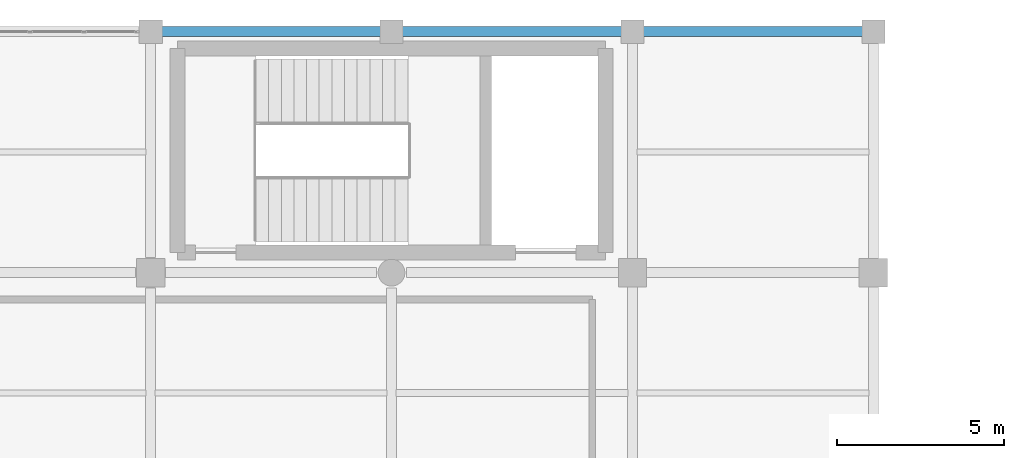
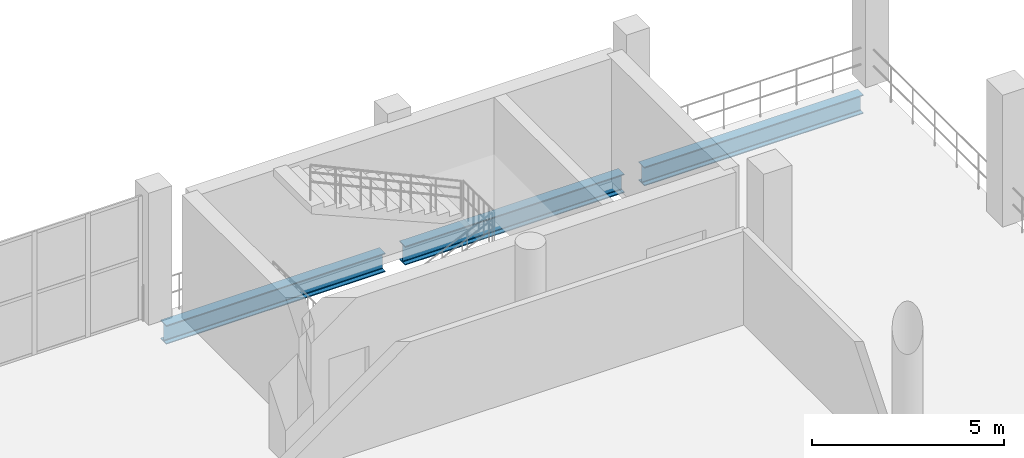
# One storey, part 117 of 153: 3 beams.
"""IFC4 building model written with IfcOpenShell, lengths in metres."""

from ifc_helpers import new_model, si_unit, direction, frame, origin, origin_2d, place, context, subcontext, project, spatial, i_section, extrude, material, material_profile, profile_set, type_object, element, save


model = new_model("IFC4")

# Units and contexts
model_context = context("Model", 3, precision=1e-05, world=origin(), true_north=direction((0.0, 1.0)))
body_context = subcontext(model_context, "Body", "Model", "MODEL_VIEW")
ifc_project = project(units=[si_unit("LENGTHUNIT", "METRE"), si_unit("AREAUNIT", "SQUARE_METRE"), si_unit("VOLUMEUNIT", "CUBIC_METRE"), si_unit("PLANEANGLEUNIT", "RADIAN"), si_unit("MASSUNIT", "GRAM", prefix="KILO")], contexts=[model_context])

# Site, building, storey
site_placement = place(None, origin())
site = spatial("IfcSite", under=ifc_project, at=site_placement, CompositionType="ELEMENT")
building_placement = place(site_placement, origin())
building = spatial("IfcBuilding", under=site, at=building_placement, Name="Qandorah Velis Arena", CompositionType="ELEMENT")
storey_placement = place(building_placement, frame((0.0, 0.0, 5.39990234375)))
storey = spatial("IfcBuildingStorey", under=building, at=storey_placement, Name="L01", CompositionType="ELEMENT", Elevation=5.39990234375)

# Beams
ifc_material = material(Name="Steel S355", Category="steel")
ifc_material_profile = material_profile(ifc_material, i_section(OverallWidth=0.300048828125, OverallDepth=0.60009765625, WebThickness=0.015380859375, FlangeThickness=0.030029296875, FilletRadius=0.027099609375, at=origin_2d()), Name="HEB 600")
ifc_profile_set = profile_set([ifc_material_profile], Name="Steel S355")
beam_type = type_object("IfcBeamType", Name="STR-BM-HEB600", PredefinedType="BEAM", material=ifc_profile_set)
beam_placement = place(storey_placement, frame((93.89990234375, 129.60009765625, -0.659912109375), z_axis=(1.0, 0.0, 0.0), x_axis=(0.0, 1.0, 0.0)))
element("IfcBeam", 1, at=beam_placement, inside=storey, type_object=beam_type, Name="Primary floor girder L01 X-217", PredefinedType="BEAM", context=body_context, shape_type="SweptSolid", body=[
    extrude(i_section(OverallWidth=0.300048828125, OverallDepth=0.60009765625, WebThickness=0.015380859375, FlangeThickness=0.030029296875, FilletRadius=0.027099609375, at=origin_2d()), origin(), (0.0, 0.0, 1.0), 6.60009765625),
])
for number, where, z_axis, x_axis, name in (
    (2, (101.10009765625, 129.60009765625, -0.659912109375), (1.0, 0.0, 0.0), (0.0, 1.0, 0.0), "Primary floor girder L01 X-218"),
    (3, (108.300048828125, 129.60009765625, -0.659912109375), (1.0, 0.0, 0.0), (0.0, 1.0, 0.0), "Primary floor girder L01 X-219"),
):
    element("IfcBeam", number, at=place(storey_placement, frame(where, z_axis=z_axis, x_axis=x_axis)), inside=storey, type_object=beam_type, Name=name, PredefinedType="BEAM", context=body_context, shape_type="SweptSolid", body=[
        extrude(i_section(OverallWidth=0.300048828125, OverallDepth=0.60009765625, WebThickness=0.015380859375, FlangeThickness=0.030029296875, FilletRadius=0.027099609375, at=origin_2d()), origin(), (0.0, 0.0, 1.0), 6.599853515625),
    ])

save(model, "model.ifc")
